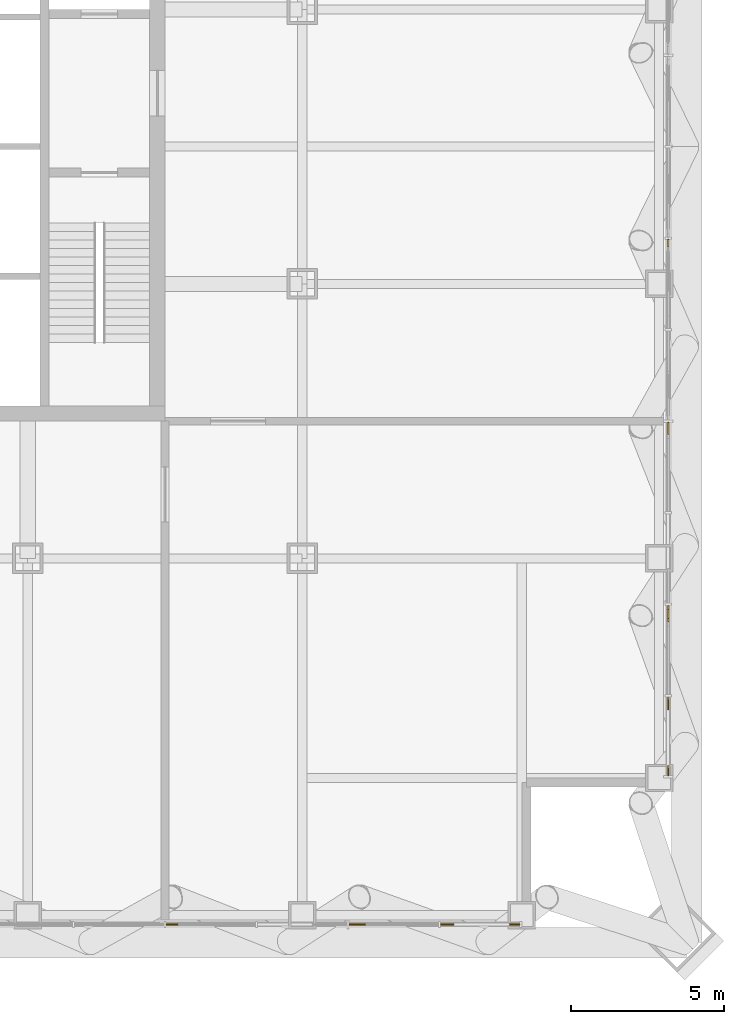
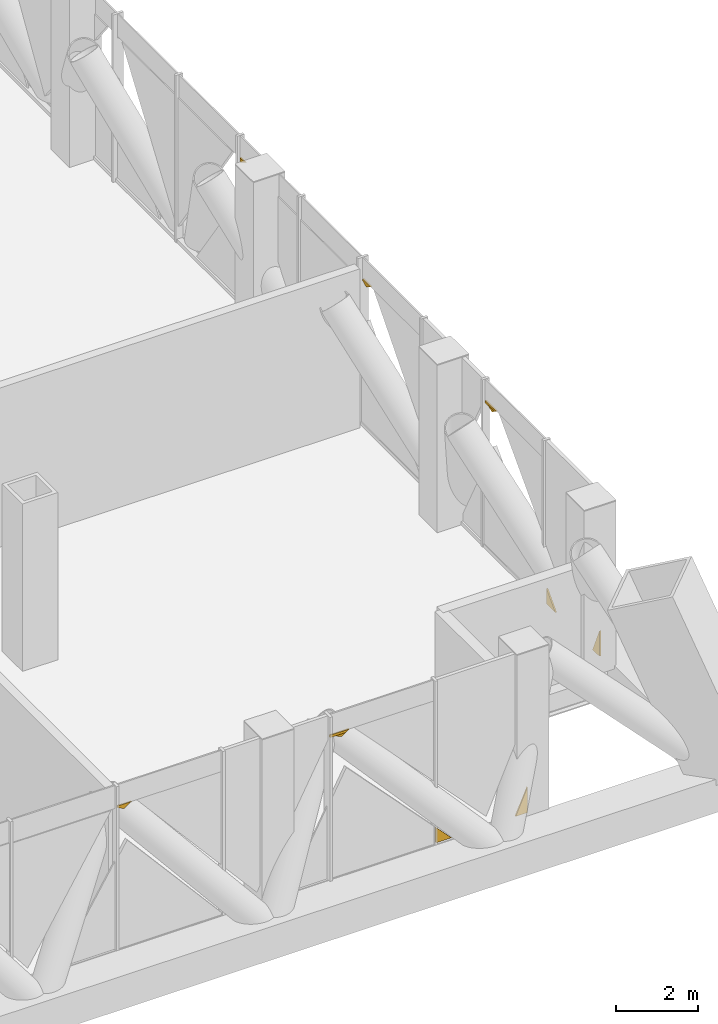
# One storey, part 21 of 26: 11 coverings.
"""IFC4 building model written with IfcOpenShell, lengths in metres."""

from ifc_helpers import new_model, si_unit, direction, frame, origin, place, context, subcontext, project, spatial, polyline, outline, extrude, material, layer, layer_set, type_object, element, save


model = new_model("IFC4")

# Units and contexts
model_context = context("Model", 3, precision=1e-05, world=origin(), true_north=direction((0.0, 1.0)))
body_context = subcontext(model_context, "Body", "Model", "MODEL_VIEW")
ifc_project = project(units=[si_unit("LENGTHUNIT", "METRE"), si_unit("AREAUNIT", "SQUARE_METRE"), si_unit("VOLUMEUNIT", "CUBIC_METRE"), si_unit("PLANEANGLEUNIT", "RADIAN"), si_unit("MASSUNIT", "GRAM", prefix="KILO")], contexts=[model_context])

# Site, building, storey
site_placement = place(None, origin())
site = spatial("IfcSite", under=ifc_project, at=site_placement, CompositionType="ELEMENT")
building_placement = place(site_placement, origin())
building = spatial("IfcBuilding", under=site, at=building_placement, Name="Malebo Sky Hospital", CompositionType="ELEMENT")
storey_placement = place(building_placement, frame((0.0, 0.0, 95.0)))
storey = spatial("IfcBuildingStorey", under=building, at=storey_placement, Name="L22", CompositionType="ELEMENT", Elevation=95.0)

# Coverings
ifc_material = material(Name="Anodised aluminium, natural silver insulated infill panel", Category="aluminium")
ifc_layer = layer(ifc_material, 0.0400390625)
ifc_layer_set = layer_set([ifc_layer], Name="BRACE INFILL PANEL 40")
covering_type = type_object("IfcCoveringType", Name="BRACE INFILL PANEL 40", PredefinedType="CLADDING", material=ifc_layer_set)
covering_1_placement = place(storey_placement, frame((80.458740234375, 36.5, 0.10009765625), z_axis=(0.0, 0.0, 1.0), x_axis=(-1.0, 0.0, 0.0)))
element("IfcCovering", 1, at=covering_1_placement, inside=storey, type_object=covering_type, Name="Brace infill panel 1.1", PredefinedType="CLADDING", context=body_context, shape_type="SweptSolid", body=[
    extrude(outline(polyline([(-0.166015625, 0.0), (0.166259765625, 0.0), (-0.166015625, 0.75830078125), (-0.166015625, 0.0)])), frame((0.0, 0.02001953125, 0.0), z_axis=(0.0, -1.0, 0.0), x_axis=(1.0, 0.0, 0.0)), (0.0, 0.0, 1.0), 0.0400390625),
])
covering_2_placement = place(storey_placement, frame((78.253662109375, 36.5, 0.10009765625), z_axis=(0.0, 0.0, 1.0), x_axis=(-1.0, 0.0, 0.0)))
element("IfcCovering", 2, at=covering_2_placement, inside=storey, type_object=covering_type, Name="Brace infill panel 1.2", PredefinedType="CLADDING", context=body_context, shape_type="SweptSolid", body=[
    extrude(outline(polyline([(-0.2158203125, 0.0), (0.216064453125, 0.0), (0.216064453125, 0.457763671875), (-0.2158203125, 0.0)])), frame((0.0, 0.02001953125, 0.0), z_axis=(0.0, -1.0, 0.0), x_axis=(1.0, 0.0, 0.0)), (0.0, 0.0, 1.0), 0.0400390625),
])
covering_3_placement = place(storey_placement, frame((75.329345703125, 36.5, 4.21240234375), z_axis=(0.0, 0.0, 1.0), x_axis=(-1.0, 0.0, 0.0)))
element("IfcCovering", 3, at=covering_3_placement, inside=storey, type_object=covering_type, Name="Brace infill panel 2.3", PredefinedType="CLADDING", context=body_context, shape_type="SweptSolid", body=[
    extrude(outline(polyline([(-0.03759765625, 0.0), (0.14794921875, 0.077880859375), (-0.14794921875, 0.077880859375), (-0.03759765625, 0.0)])), frame((0.0, 0.02001953125, 0.0), z_axis=(0.0, -1.0, 0.0), x_axis=(1.0, 0.0, 0.0)), (0.0, 0.0, 1.0), 0.0400390625),
])
covering_4_placement = place(storey_placement, frame((75.30908203125, 36.5, 4.2900390625), z_axis=(0.0, 0.0, 1.0), x_axis=(-1.0, 0.0, 0.0)))
element("IfcCovering", 4, at=covering_4_placement, inside=storey, type_object=covering_type, Name="Brace infill panel 2.4", PredefinedType="CLADDING", context=body_context, shape_type="SweptSolid", body=[
    extrude(outline(polyline([(-0.168212890625, 0.0), (0.271484375, 0.0), (0.271484375, 0.072998046875), (-0.271484375, 0.072998046875), (-0.168212890625, 0.0)])), frame((0.0, 0.02001953125, 0.0), z_axis=(0.0, -1.0, 0.0), x_axis=(1.0, 0.0, 0.0)), (0.0, 0.0, 1.0), 0.0400390625),
])
covering_5_placement = place(storey_placement, frame((69.23583984375, 36.5, 4.212890625), z_axis=(0.0, 0.0, 1.0), x_axis=(-1.0, 0.0, 0.0)))
element("IfcCovering", 5, at=covering_5_placement, inside=storey, type_object=covering_type, Name="Brace infill panel 4.3", PredefinedType="CLADDING", context=body_context, shape_type="SweptSolid", body=[
    extrude(outline(polyline([(0.015625, 0.0), (0.1982421875, 0.08642578125), (0.1982421875, 0.138427734375), (-0.1982421875, 0.138427734375), (0.015625, 0.0)])), frame((0.0, 0.02001953125, 0.0), z_axis=(0.0, -1.0, 0.0), x_axis=(1.0, 0.0, 0.0)), (0.0, 0.0, 1.0), 0.0400390625),
])
covering_6_placement = place(storey_placement, frame((85.5, 58.83837890625, 4.21337890625), z_axis=(0.0, 0.0, 1.0), x_axis=(0.0, -1.0, 0.0)))
element("IfcCovering", 6, at=covering_6_placement, inside=storey, type_object=covering_type, Name="Brace infill panel 9.3", PredefinedType="CLADDING", context=body_context, shape_type="SweptSolid", body=[
    extrude(outline(polyline([(-0.08837890625, 0.0), (0.1240234375, 0.124755859375), (-0.1240234375, 0.124755859375), (-0.1240234375, 0.018798828125), (-0.08837890625, 0.0)])), frame((0.0, 0.02001953125, 0.0), z_axis=(0.0, -1.0, 0.0), x_axis=(1.0, 0.0, 0.0)), (0.0, 0.0, 1.0), 0.0400390625),
])
covering_7_placement = place(storey_placement, frame((85.5, 52.76416015625, 4.212890625), z_axis=(0.0, 0.0, 1.0), x_axis=(0.0, -1.0, 0.0)))
element("IfcCovering", 7, at=covering_7_placement, inside=storey, type_object=covering_type, Name="Brace infill panel 11.3", PredefinedType="CLADDING", context=body_context, shape_type="SweptSolid", body=[
    extrude(outline(polyline([(-0.015625, 0.0), (0.1982421875, 0.138427734375), (-0.1982421875, 0.138427734375), (-0.1982421875, 0.08642578125), (-0.015625, 0.0)])), frame((0.0, 0.02001953125, 0.0), z_axis=(0.0, -1.0, 0.0), x_axis=(1.0, 0.0, 0.0)), (0.0, 0.0, 1.0), 0.0400390625),
])
covering_8_placement = place(storey_placement, frame((85.5, 46.670654296875, 4.21240234375), z_axis=(0.0, 0.0, 1.0), x_axis=(0.0, -1.0, 0.0)))
element("IfcCovering", 8, at=covering_8_placement, inside=storey, type_object=covering_type, Name="Brace infill panel 13.3", PredefinedType="CLADDING", context=body_context, shape_type="SweptSolid", body=[
    extrude(outline(polyline([(0.03759765625, 0.0), (0.14794921875, 0.077880859375), (-0.14794921875, 0.077880859375), (0.03759765625, 0.0)])), frame((0.0, 0.02001953125, 0.0), z_axis=(0.0, -1.0, 0.0), x_axis=(1.0, 0.0, 0.0)), (0.0, 0.0, 1.0), 0.0400390625),
])
covering_9_placement = place(storey_placement, frame((85.5, 46.69091796875, 4.2900390625), z_axis=(0.0, 0.0, 1.0), x_axis=(0.0, -1.0, 0.0)))
element("IfcCovering", 9, at=covering_9_placement, inside=storey, type_object=covering_type, Name="Brace infill panel 13.4", PredefinedType="CLADDING", context=body_context, shape_type="SweptSolid", body=[
    extrude(outline(polyline([(-0.271484375, 0.0), (0.168212890625, 0.0), (0.271484375, 0.072998046875), (-0.271484375, 0.072998046875), (-0.271484375, 0.0)])), frame((0.0, 0.02001953125, 0.0), z_axis=(0.0, -1.0, 0.0), x_axis=(1.0, 0.0, 0.0)), (0.0, 0.0, 1.0), 0.0400390625),
])
covering_10_placement = place(storey_placement, frame((85.5, 43.746337890625, 0.10009765625), z_axis=(0.0, 0.0, 1.0), x_axis=(0.0, -1.0, 0.0)))
element("IfcCovering", 10, at=covering_10_placement, inside=storey, type_object=covering_type, Name="Brace infill panel 14.1", PredefinedType="CLADDING", context=body_context, shape_type="SweptSolid", body=[
    extrude(outline(polyline([(-0.216064453125, 0.0), (0.2158203125, 0.0), (-0.216064453125, 0.457763671875), (-0.216064453125, 0.0)])), frame((0.0, 0.02001953125, 0.0), z_axis=(0.0, -1.0, 0.0), x_axis=(1.0, 0.0, 0.0)), (0.0, 0.0, 1.0), 0.0400390625),
])
covering_11_placement = place(storey_placement, frame((85.5, 41.541259765625, 0.10009765625), z_axis=(0.0, 0.0, 1.0), x_axis=(0.0, -1.0, 0.0)))
element("IfcCovering", 11, at=covering_11_placement, inside=storey, type_object=covering_type, Name="Brace infill panel 14.2", PredefinedType="CLADDING", context=body_context, shape_type="SweptSolid", body=[
    extrude(outline(polyline([(-0.166259765625, 0.0), (0.166015625, 0.0), (0.166015625, 0.75830078125), (-0.166259765625, 0.0)])), frame((0.0, 0.02001953125, 0.0), z_axis=(0.0, -1.0, 0.0), x_axis=(1.0, 0.0, 0.0)), (0.0, 0.0, 1.0), 0.0400390625),
])

save(model, "model.ifc")
